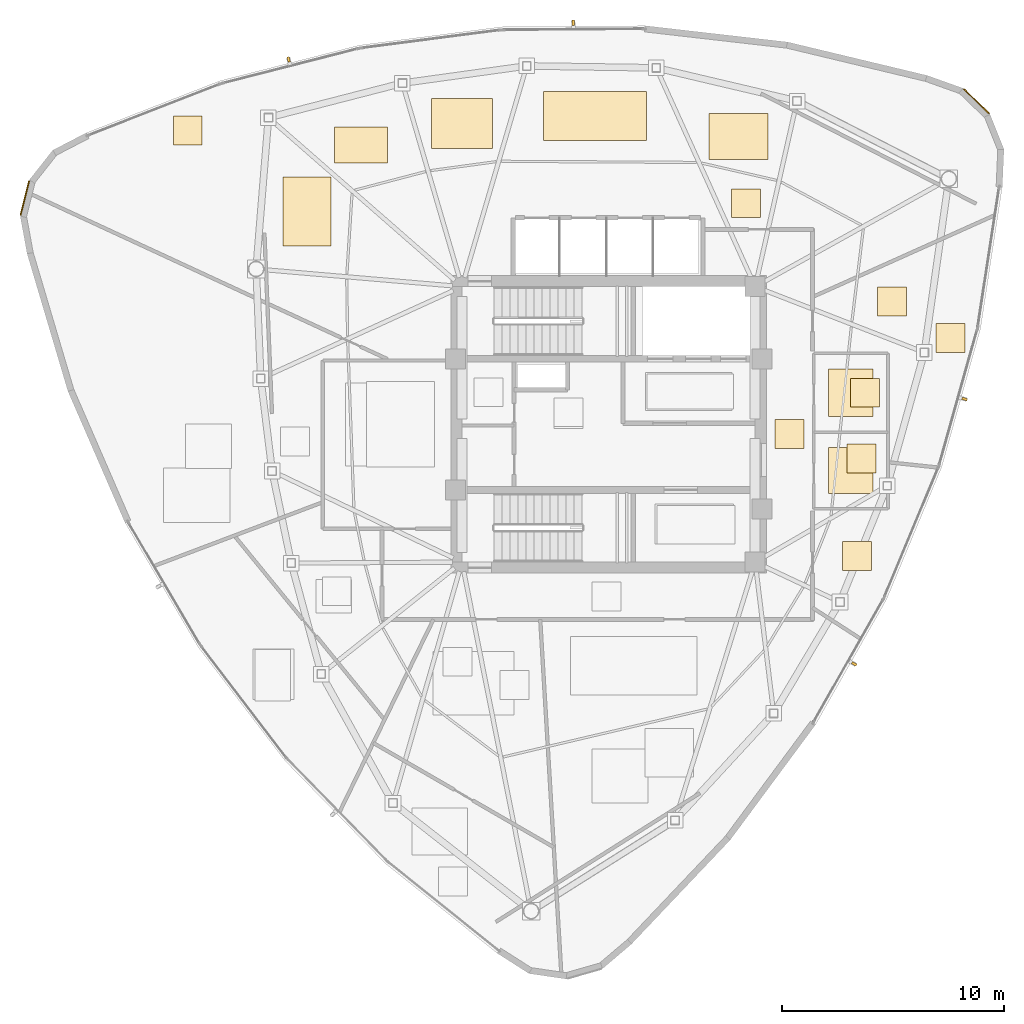
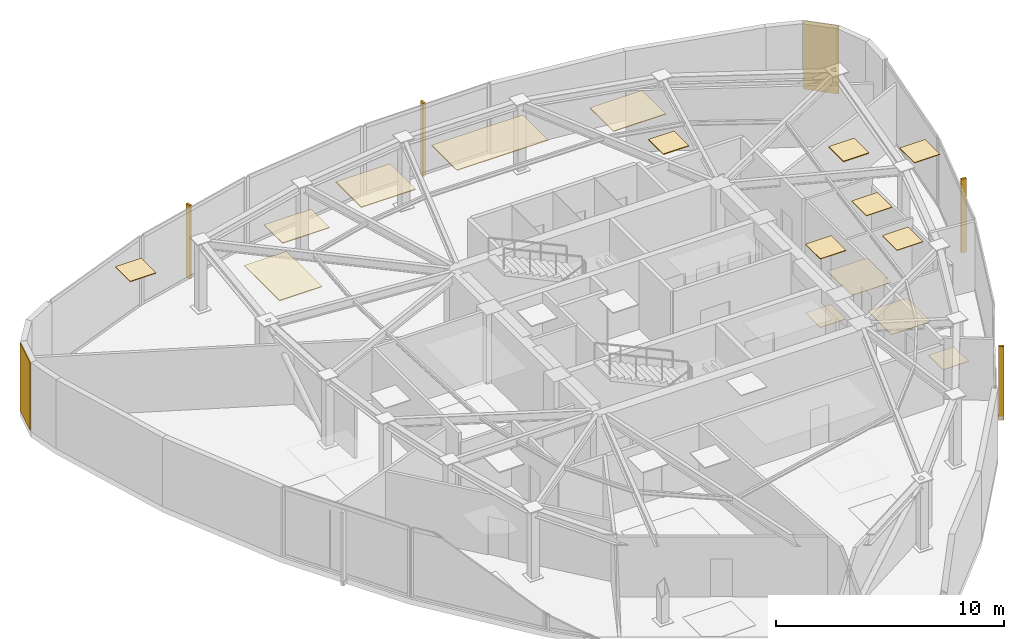
# One storey, part 11 of 11: 18 coverings, 4 shading devices.
"""IFC4 building model written with IfcOpenShell, lengths in metres."""

from ifc_helpers import new_model, si_unit, direction, frame, origin, origin_2d, place, context, subcontext, project, spatial, polyline, rectangle, outline, extrude, source, transform, mapped, material, layer, layer_set, type_object, type_shapes, element, save


model = new_model("IFC4")

# Units and contexts
model_context = context("Model", 3, precision=1e-05, world=origin(), true_north=direction((0.0, 1.0)))
body_context = subcontext(model_context, "Body", "Model", "MODEL_VIEW")
ifc_project = project(units=[si_unit("LENGTHUNIT", "METRE"), si_unit("AREAUNIT", "SQUARE_METRE"), si_unit("VOLUMEUNIT", "CUBIC_METRE"), si_unit("PLANEANGLEUNIT", "RADIAN"), si_unit("MASSUNIT", "GRAM", prefix="KILO")], contexts=[model_context])

# Site, building, storey
site_placement = place(None, origin())
site = spatial("IfcSite", under=ifc_project, at=site_placement, CompositionType="ELEMENT")
building_placement = place(site_placement, origin())
building = spatial("IfcBuilding", under=site, at=building_placement, Name="Tavelor Broadcast Tower", CompositionType="ELEMENT")
storey_placement = place(building_placement, frame((0.0, 0.0, 313.5)))
storey = spatial("IfcBuildingStorey", under=building, at=storey_placement, Name="L75", CompositionType="ELEMENT", Elevation=313.5)

# Coverings
ifc_material_1 = material(Name="Copper-Bronze Anodized Aluminium", Category="aluminium")
ifc_layer_1 = layer(ifc_material_1, 0.050048828125)
ifc_layer_set_1 = layer_set([ifc_layer_1], Name="Copper-Bronze Anodized Aluminium")
covering_type_1 = type_object("IfcCoveringType", Name="Champagne-Bronze Corner Pier Metal Cladding 50 mm", PredefinedType="CLADDING", material=ifc_layer_set_1)
for number, where, z_axis, x_axis, name in (
    (1, (23.7216796875, 55.185791015625, 0.02001953125), (0.0, 0.0, 1.0), (-0.241075060833, -0.970506473469, 0.0), "L75 Champagne-Bronze Corner Cladding 03"),
    (2, (66.560302734375, 59.547119140625, 0.02001953125), (0.0, 0.0, 1.0), (-0.719945730144, 0.694030363635, 0.0), "L75 Champagne-Bronze Corner Cladding 23"),
):
    element("IfcCovering", number, at=place(storey_placement, frame(where, z_axis=z_axis, x_axis=x_axis)), inside=storey, type_object=covering_type_1, Name=name, PredefinedType="CLADDING", context=body_context, shape_type="SweptSolid", body=[
        extrude(rectangle(XDim=1.59814453125, YDim=0.050048828125, at=origin_2d()), origin(), (0.0, 0.0, 1.0), 3.659912109375),
    ])
ifc_material_2 = material(Name="Architectural Anodized Aluminium", Category="aluminium")
ifc_layer_2 = layer(ifc_material_2, 0.034912109375)
ifc_layer_set_2 = layer_set([ifc_layer_2], Name="Architectural Anodized Aluminium")
covering_type_2 = type_object("IfcCoveringType", Name="Demountable Metal Tile Corridor Ceiling 35 mm", PredefinedType="CEILING", material=ifc_layer_set_2)
covering_1_placement = place(storey_placement, frame((0.0, 0.0, 3.6650390625)))
element("IfcCovering", 3, at=covering_1_placement, inside=storey, type_object=covering_type_2, Name="L75 Suspended Acoustic Ceiling 2827", PredefinedType="CEILING", context=body_context, shape_type="SweptSolid", body=[
    extrude(outline(polyline([(57.489990234375, 43.925048828125), (58.7900390625, 43.925048828125), (58.7900390625, 45.22509765625), (57.489990234375, 45.22509765625), (57.489990234375, 43.925048828125)])), origin(), (0.0, 0.0, 1.0), 0.034912109375),
])
ifc_material_3 = material(Name="Acoustic Nylon Carpet Tile")
ifc_layer_3 = layer(ifc_material_3, 0.02001953125)
ifc_layer_set_3 = layer_set([ifc_layer_3], Name="Acoustic Nylon Carpet Tile")
covering_type_3 = type_object("IfcCoveringType", Name="Heavy-Duty Acoustic Broadcast Carpet Tile 20 mm", PredefinedType="FLOORING", material=ifc_layer_set_3)
covering_2_placement = place(storey_placement, origin())
element("IfcCovering", 4, at=covering_2_placement, inside=storey, type_object=covering_type_3, Name="L75 Broadcast Floor Finish 1114", PredefinedType="FLOORING", context=body_context, shape_type="SweptSolid", body=[
    extrude(outline(polyline([(57.489990234375, 43.925048828125), (58.7900390625, 43.925048828125), (58.7900390625, 45.22509765625), (57.489990234375, 45.22509765625), (57.489990234375, 43.925048828125)])), origin(), (0.0, 0.0, 1.0), 0.02001953125),
])
covering_3_placement = place(storey_placement, origin())
element("IfcCovering", 5, at=covering_3_placement, inside=storey, type_object=covering_type_3, Name="L75 Broadcast Floor Finish 1118", PredefinedType="FLOORING", context=body_context, shape_type="SweptSolid", body=[
    extrude(outline(polyline([(60.540283203125, 38.42041015625), (61.84033203125, 38.42041015625), (61.84033203125, 39.720458984375), (60.540283203125, 39.720458984375), (60.540283203125, 38.42041015625)])), origin(), (0.0, 0.0, 1.0), 0.02001953125),
])
ifc_layer_4 = layer(ifc_material_2, 0.030029296875)
ifc_layer_set_4 = layer_set([ifc_layer_4], Name="Architectural Anodized Aluminium")
covering_type_4 = type_object("IfcCoveringType", Name="Moisture-Resistant Washroom Ceiling 30 mm", PredefinedType="CEILING", material=ifc_layer_set_4)
covering_4_placement = place(storey_placement, frame((0.0, 0.0, 3.669921875)))
element("IfcCovering", 6, at=covering_4_placement, inside=storey, type_object=covering_type_4, Name="L75 Suspended Acoustic Ceiling 2830", PredefinedType="CEILING", context=body_context, shape_type="SweptSolid", body=[
    extrude(outline(polyline([(60.739013671875, 42.806884765625), (62.0390625, 42.806884765625), (62.0390625, 44.106689453125), (60.739013671875, 44.106689453125), (60.739013671875, 42.806884765625)])), origin(), (0.0, 0.0, 1.0), 0.030029296875),
])
covering_5_placement = place(storey_placement, frame((0.0, 0.0, 3.669921875)))
element("IfcCovering", 7, at=covering_5_placement, inside=storey, type_object=covering_type_4, Name="L75 Suspended Acoustic Ceiling 2831", PredefinedType="CEILING", context=body_context, shape_type="SweptSolid", body=[
    extrude(outline(polyline([(60.898681640625, 45.77490234375), (62.19873046875, 45.77490234375), (62.19873046875, 47.074951171875), (60.898681640625, 47.074951171875), (60.898681640625, 45.77490234375)])), origin(), (0.0, 0.0, 1.0), 0.030029296875),
])
ifc_material_4 = material(Name="Slip-Resistant Porcelain Tile")
ifc_layer_5 = layer(ifc_material_4, 0.02490234375)
ifc_layer_set_5 = layer_set([ifc_layer_5], Name="Slip-Resistant Porcelain Tile")
covering_type_5 = type_object("IfcCoveringType", Name="Slip-Resistant Porcelain Wet-Area Floor Tile 25 mm", PredefinedType="FLOORING", material=ifc_layer_set_5)
covering_6_placement = place(storey_placement, origin())
element("IfcCovering", 8, at=covering_6_placement, inside=storey, type_object=covering_type_5, Name="L75 Broadcast Floor Finish 1116", PredefinedType="FLOORING", context=body_context, shape_type="SweptSolid", body=[
    extrude(outline(polyline([(59.91064453125, 41.885986328125), (61.909423828125, 41.885986328125), (61.909423828125, 43.964111328125), (59.91064453125, 43.964111328125), (59.91064453125, 41.885986328125)])), origin(), (0.0, 0.0, 1.0), 0.02490234375),
])
covering_7_placement = place(storey_placement, origin())
element("IfcCovering", 9, at=covering_7_placement, inside=storey, type_object=covering_type_5, Name="L75 Broadcast Floor Finish 1117", PredefinedType="FLOORING", context=body_context, shape_type="SweptSolid", body=[
    extrude(outline(polyline([(59.91064453125, 45.35009765625), (61.909423828125, 45.35009765625), (61.909423828125, 47.5), (59.91064453125, 47.5), (59.91064453125, 45.35009765625)])), origin(), (0.0, 0.0, 1.0), 0.02490234375),
])
ifc_material_5 = material(Name="Acoustic Mineral Fibre Tile")
ifc_layer_6 = layer(ifc_material_5, 0.0400390625)
ifc_layer_set_6 = layer_set([ifc_layer_6], Name="Acoustic Mineral Fibre Tile")
covering_type_6 = type_object("IfcCoveringType", Name="Suspended Acoustic Mineral-Fibre Office Ceiling 40 mm", PredefinedType="CEILING", material=ifc_layer_set_6)
covering_8_placement = place(storey_placement, frame((0.0, 0.0, 3.659912109375)))
element("IfcCovering", 10, at=covering_8_placement, inside=storey, type_object=covering_type_6, Name="L75 Suspended Acoustic Ceiling 2832", PredefinedType="CEILING", context=body_context, shape_type="SweptSolid", body=[
    extrude(outline(polyline([(62.100830078125, 49.87451171875), (63.40087890625, 49.87451171875), (63.40087890625, 51.17431640625), (62.100830078125, 51.17431640625), (62.100830078125, 49.87451171875)])), origin(), (0.0, 0.0, 1.0), 0.0400390625),
])
covering_9_placement = place(storey_placement, frame((0.0, 0.0, 3.659912109375)))
element("IfcCovering", 11, at=covering_9_placement, inside=storey, type_object=covering_type_6, Name="L75 Suspended Acoustic Ceiling 2833", PredefinedType="CEILING", context=body_context, shape_type="SweptSolid", body=[
    extrude(outline(polyline([(64.745849609375, 48.233154296875), (66.0458984375, 48.233154296875), (66.0458984375, 49.533203125), (64.745849609375, 49.533203125), (64.745849609375, 48.233154296875)])), origin(), (0.0, 0.0, 1.0), 0.0400390625),
])
covering_10_placement = place(storey_placement, frame((0.0, 0.0, 3.659912109375)))
element("IfcCovering", 12, at=covering_10_placement, inside=storey, type_object=covering_type_6, Name="L75 Suspended Acoustic Ceiling 2840", PredefinedType="CEILING", context=body_context, shape_type="SweptSolid", body=[
    extrude(outline(polyline([(30.404296875, 57.573486328125), (31.704345703125, 57.573486328125), (31.704345703125, 58.87353515625), (30.404296875, 58.87353515625), (30.404296875, 57.573486328125)])), origin(), (0.0, 0.0, 1.0), 0.0400390625),
])
covering_11_placement = place(storey_placement, frame((0.0, 0.0, 3.659912109375)))
element("IfcCovering", 13, at=covering_11_placement, inside=storey, type_object=covering_type_6, Name="L75 Suspended Acoustic Ceiling 2841", PredefinedType="CEILING", context=body_context, shape_type="SweptSolid", body=[
    extrude(outline(polyline([(54.51318359375, 56.919189453125), (57.16796875, 56.919189453125), (57.16796875, 58.997314453125), (54.51318359375, 58.997314453125), (54.51318359375, 56.919189453125)])), origin(), (0.0, 0.0, 1.0), 0.0400390625),
])
covering_12_placement = place(storey_placement, frame((0.0, 0.0, 3.659912109375)))
element("IfcCovering", 14, at=covering_12_placement, inside=storey, type_object=covering_type_6, Name="L75 Suspended Acoustic Ceiling 2842", PredefinedType="CEILING", context=body_context, shape_type="SweptSolid", body=[
    extrude(outline(polyline([(55.5302734375, 54.3076171875), (56.830078125, 54.3076171875), (56.830078125, 55.607666015625), (55.5302734375, 55.607666015625), (55.5302734375, 54.3076171875)])), origin(), (0.0, 0.0, 1.0), 0.0400390625),
])
covering_13_placement = place(storey_placement, frame((0.0, 0.0, 3.659912109375)))
element("IfcCovering", 15, at=covering_13_placement, inside=storey, type_object=covering_type_6, Name="L75 Suspended Acoustic Ceiling 2843", PredefinedType="CEILING", context=body_context, shape_type="SweptSolid", body=[
    extrude(outline(polyline([(35.3466796875, 53.028564453125), (37.49853515625, 53.028564453125), (37.49853515625, 56.131103515625), (35.3466796875, 56.131103515625), (35.3466796875, 53.028564453125)])), origin(), (0.0, 0.0, 1.0), 0.0400390625),
])
covering_14_placement = place(storey_placement, frame((0.0, 0.0, 3.659912109375)))
element("IfcCovering", 16, at=covering_14_placement, inside=storey, type_object=covering_type_6, Name="L75 Suspended Acoustic Ceiling 2844", PredefinedType="CEILING", context=body_context, shape_type="SweptSolid", body=[
    extrude(outline(polyline([(37.655029296875, 56.7705078125), (40.044189453125, 56.7705078125), (40.044189453125, 58.3935546875), (37.655029296875, 58.3935546875), (37.655029296875, 56.7705078125)])), origin(), (0.0, 0.0, 1.0), 0.0400390625),
])
covering_15_placement = place(storey_placement, frame((0.0, 0.0, 3.659912109375)))
element("IfcCovering", 17, at=covering_15_placement, inside=storey, type_object=covering_type_6, Name="L75 Suspended Acoustic Ceiling 2845", PredefinedType="CEILING", context=body_context, shape_type="SweptSolid", body=[
    extrude(outline(polyline([(42.02392578125, 57.420166015625), (44.780517578125, 57.420166015625), (44.780517578125, 59.66748046875), (42.02392578125, 59.66748046875), (42.02392578125, 57.420166015625)])), origin(), (0.0, 0.0, 1.0), 0.0400390625),
])
covering_16_placement = place(storey_placement, frame((0.0, 0.0, 3.659912109375)))
element("IfcCovering", 18, at=covering_16_placement, inside=storey, type_object=covering_type_6, Name="L75 Suspended Acoustic Ceiling 2846", PredefinedType="CEILING", context=body_context, shape_type="SweptSolid", body=[
    extrude(outline(polyline([(47.069580078125, 57.77392578125), (51.702880859375, 57.77392578125), (51.702880859375, 59.9912109375), (47.069580078125, 59.9912109375), (47.069580078125, 57.77392578125)])), origin(), (0.0, 0.0, 1.0), 0.0400390625),
])

# Shading devices
ifc_material_6 = material(Name="Kiln-Fired Glazed Terracotta", Category="masonry")
shading_device_type = type_object("IfcShadingDeviceType", Name="Extruded Terracotta Baguette Sun-Screen 110x240", PredefinedType="JALOUSIE", material=ifc_material_6)
shared_shape = source(origin(), body_context, "Body", "SweptSolid", [
    extrude(rectangle(XDim=0.110107421875, YDim=0.239990234375, at=origin_2d()), origin(), (0.0, 0.0, 1.0), 3.93994140625),
])
type_shapes(shading_device_type, [shared_shape])
for number, where, z_axis, x_axis, name in (
    (19, (61.056396484375, 34.217041015625, -0.260009765625), (0.0, 0.0, 1.0), (0.493638325511, 0.869667294767, 0.0), "L75 Terracotta Baguette Fin 723"),
    (20, (66.02587890625, 46.140869140625, -0.260009765625), (0.0, 0.0, 1.0), (0.270096344686, 0.962833300518, 0.0), "L75 Terracotta Baguette Fin 724"),
    (21, (48.41015625, 63.084228515625, -0.260009765625), (0.0, 0.0, 1.0), (-0.999973132864, -0.007330317209, 0.0), "L75 Terracotta Baguette Fin 725"),
    (22, (35.59912109375, 61.426025390625, -0.260009765625), (0.0, 0.0, 1.0), (-0.968886270202, -0.247506354292, 0.0), "L75 Terracotta Baguette Fin 726"),
):
    element("IfcShadingDevice", number, at=place(storey_placement, frame(where, z_axis=z_axis, x_axis=x_axis)), inside=storey, type_object=shading_device_type, Name=name, PredefinedType="JALOUSIE", context=body_context, shape_type="MappedRepresentation", body=[
        mapped(shared_shape, transform((0.0, 0.0, 0.0), scale=1.0)),
    ])

save(model, "model.ifc")
